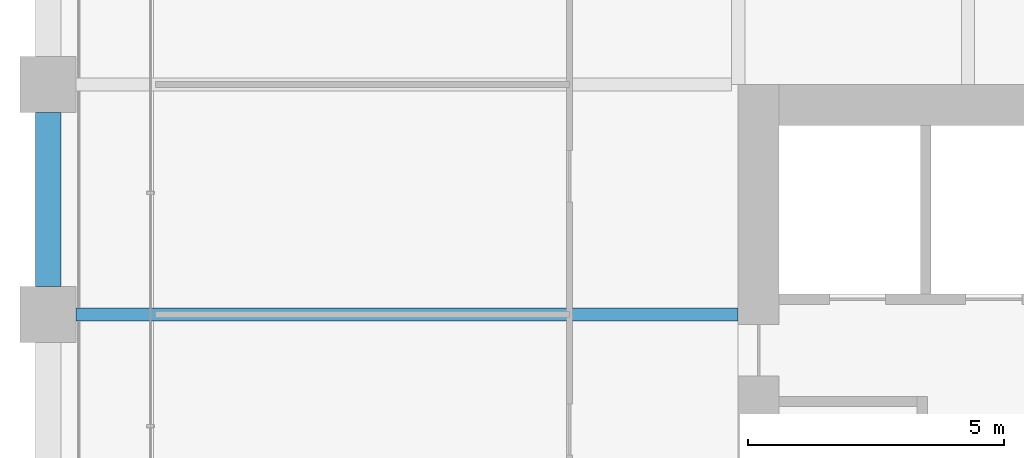
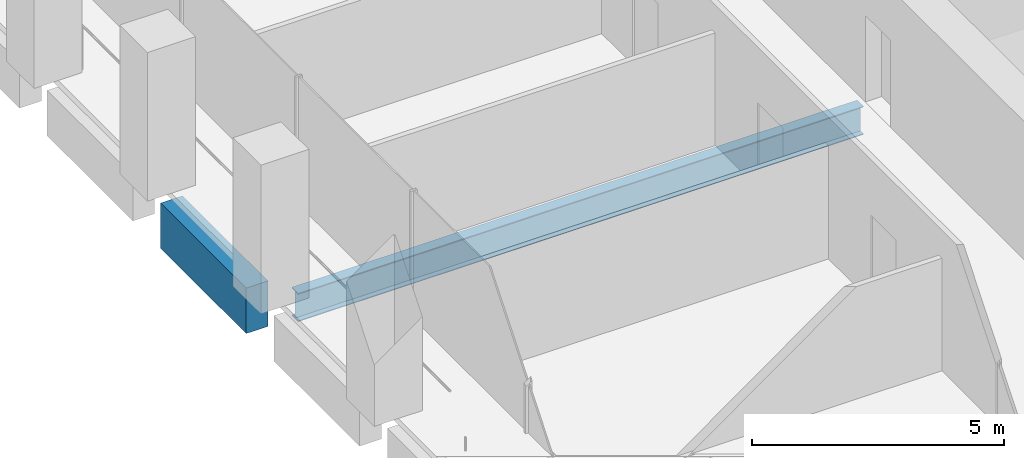
# One storey, part 13 of 56: 2 beams.
"""IFC4 building model written with IfcOpenShell, lengths in metres."""

from ifc_helpers import new_model, si_unit, direction, frame, origin, origin_2d, place, context, subcontext, project, spatial, rectangle, i_section, extrude, material, material_profile, profile_set, type_object, element, save


model = new_model("IFC4")

# Units and contexts
model_context = context("Model", 3, precision=1e-05, world=origin(), true_north=direction((0.0, 1.0)))
body_context = subcontext(model_context, "Body", "Model", "MODEL_VIEW")
ifc_project = project(units=[si_unit("LENGTHUNIT", "METRE"), si_unit("AREAUNIT", "SQUARE_METRE"), si_unit("VOLUMEUNIT", "CUBIC_METRE"), si_unit("PLANEANGLEUNIT", "RADIAN"), si_unit("MASSUNIT", "GRAM", prefix="KILO")], contexts=[model_context])

# Site, building, storey
site_placement = place(None, origin())
site = spatial("IfcSite", under=ifc_project, at=site_placement, CompositionType="ELEMENT")
building_placement = place(site_placement, origin())
building = spatial("IfcBuilding", under=site, at=building_placement, Name="Altepetl Exchange Towers", CompositionType="ELEMENT")
storey_placement = place(building_placement, frame((0.0, 0.0, 72.60009765625)))
storey = spatial("IfcBuildingStorey", under=building, at=storey_placement, Name="L17", CompositionType="ELEMENT", Elevation=72.60009765625)

# Beams
ifc_material_1 = material(Name="Steel S355", Category="steel")
ifc_material_profile_1 = material_profile(ifc_material_1, i_section(OverallWidth=0.25390625, OverallDepth=0.68408203125, WebThickness=0.012451171875, FlangeThickness=0.018798828125, at=origin_2d()), Name="W27X94")
ifc_profile_set_1 = profile_set([ifc_material_profile_1], Name="Steel S355")
beam_type_1 = type_object("IfcBeamType", Name="Floor beam W27X94", PredefinedType="BEAM", material=ifc_profile_set_1)
beam_1_placement = place(storey_placement, frame((27.550048828125, 54.0, -0.4921875), z_axis=(1.0, 0.0, 0.0), x_axis=(0.0, 1.0, 0.0)))
element("IfcBeam", 1, at=beam_1_placement, inside=storey, type_object=beam_type_1, Name="bm:A:L17:020", PredefinedType="BEAM", context=body_context, shape_type="SweptSolid", body=[
    extrude(i_section(OverallWidth=0.25390625, OverallDepth=0.68408203125, WebThickness=0.012451171875, FlangeThickness=0.018798828125, at=origin_2d()), origin(), (0.0, 0.0, 1.0), 12.949951171875),
])
ifc_material_2 = material(Name="Concrete C50/60 precast with tezontle facing", Category="concrete")
ifc_material_profile_2 = material_profile(ifc_material_2, rectangle(XDim=0.5, YDim=1.10009765625, at=origin_2d()), Name="500 x 1100")
ifc_profile_set_2 = profile_set([ifc_material_profile_2], Name="Concrete C50/60 precast with tezontle facing")
beam_type_2 = type_object("IfcBeamType", Name="Spandrel beam 500x1100 tezontle", PredefinedType="SPANDREL", material=ifc_profile_set_2)
beam_2_placement = place(storey_placement, frame((27.0, 57.949951171875, -0.7001953125), z_axis=(0.0, -1.0, 0.0), x_axis=(1.0, 0.0, 0.0)))
element("IfcBeam", 2, at=beam_2_placement, inside=storey, type_object=beam_type_2, Name="sp:A:L17:038", PredefinedType="SPANDREL", context=body_context, shape_type="SweptSolid", body=[
    extrude(rectangle(XDim=0.5, YDim=1.10009765625, at=origin_2d()), origin(), (0.0, 0.0, 1.0), 3.39990234375),
])

save(model, "model.ifc")
